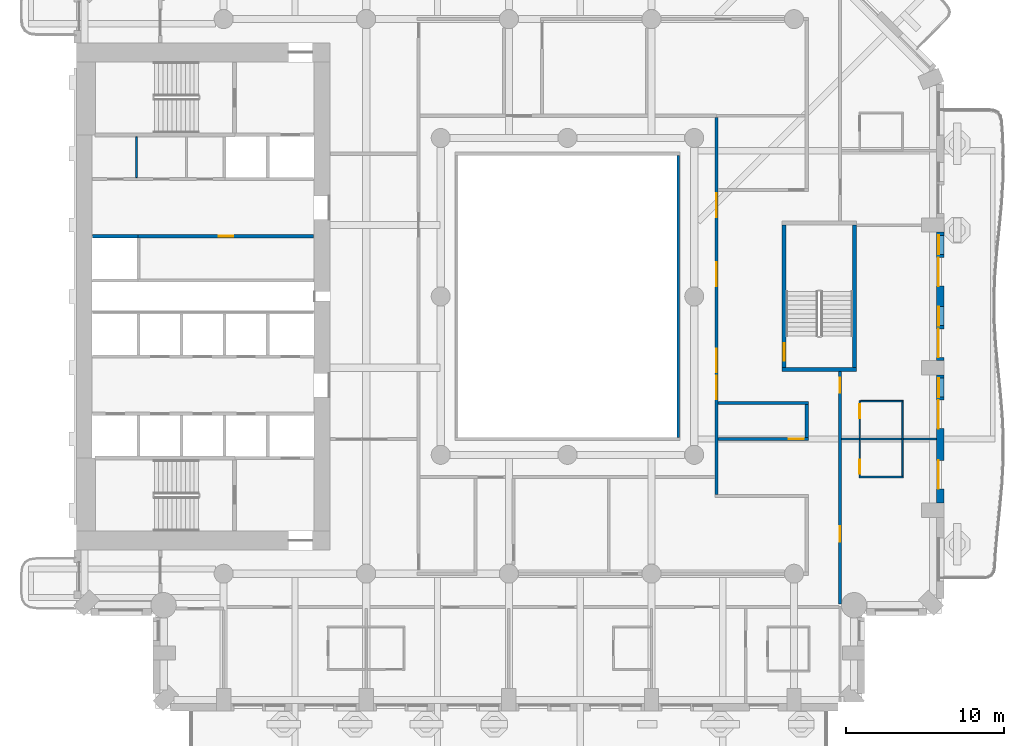
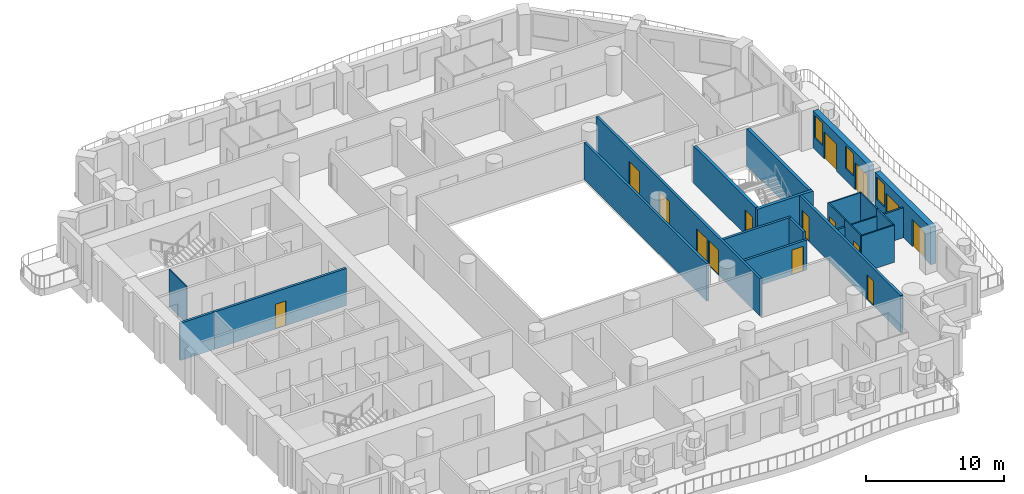
# One storey, part 6 of 19: 23 walls, 15 doors, 3 windows, 18 openings.
"""IFC4 building model written with IfcOpenShell, lengths in metres."""

from ifc_helpers import new_model, si_unit, direction, frame, frame_2d, origin, place, context, subcontext, project, spatial, rectangle, extrude, material, layer, layer_set, type_object, element, fill, save


model = new_model("IFC4")

# Units and contexts
model_context = context("Model", 3, precision=1e-05, world=origin(), true_north=direction((0.0, 1.0)))
body_context = subcontext(model_context, "Body", "Model", "MODEL_VIEW")
ifc_project = project(units=[si_unit("LENGTHUNIT", "METRE"), si_unit("AREAUNIT", "SQUARE_METRE"), si_unit("VOLUMEUNIT", "CUBIC_METRE"), si_unit("PLANEANGLEUNIT", "RADIAN"), si_unit("MASSUNIT", "GRAM", prefix="KILO")], contexts=[model_context])

# Site, building, storey
site_placement = place(None, origin())
site = spatial("IfcSite", under=ifc_project, at=site_placement, CompositionType="ELEMENT")
building_placement = place(site_placement, origin())
building = spatial("IfcBuilding", under=site, at=building_placement, Name="Cypress Arch Tower", CompositionType="ELEMENT")
storey_placement = place(building_placement, frame((0.0, 0.0, 66.300048828125)))
storey = spatial("IfcBuildingStorey", under=building, at=storey_placement, Name="L10", CompositionType="ELEMENT", Elevation=66.300048828125)

# Wall, openings, doors, window
ifc_material_1 = material(Name="Brick (red buff blend)", Category="masonry")
ifc_layer_1 = layer(ifc_material_1, 0.449951171875)
ifc_layer_set_1 = layer_set([ifc_layer_1], Name="Brick pier and spandrel wall BW450")
wall_type_1 = type_object("IfcWallType", Name="Brick pier and spandrel wall BW450", PredefinedType="SOLIDWALL", material=ifc_layer_set_1)
wall_1_placement = place(storey_placement, frame((24.52490234375, -13.050048828125, 0.0), z_axis=(0.0, 0.0, 1.0), x_axis=(0.0, 1.0, 0.0)))
wall_1 = element("IfcWall", 1, at=wall_1_placement, inside=storey, type_object=wall_type_1, Name="Brick wall L10 A06.1", PredefinedType="SOLIDWALL", context=body_context, shape_type="SweptSolid", body=[
    extrude(rectangle(XDim=8.10009765625, YDim=0.449951171875, at=frame_2d((4.050048828125, 0.0))), origin(), (0.0, 0.0, 1.0), 3.300048828125),
])
opening_1_placement = place(wall_1_placement, frame((0.89990234375, 0.0, 0.0)))
opening_1 = element("IfcOpeningElement", 2, at=opening_1_placement, cuts=wall_1, Name="Opening D-L10-A06.1.1", PredefinedType="OPENING", context=body_context, shape_type="SweptSolid", body=[
    extrude(rectangle(XDim=1.800048828125, YDim=2.39990234375, at=frame_2d((0.89990234375, 1.199951171875))), frame((0.0, 0.23486328125, 0.0), z_axis=(0.0, -1.0, 0.0), x_axis=(1.0, 0.0, 0.0)), (0.0, 0.0, 1.0), 0.469970703125),
])
opening_2_placement = place(wall_1_placement, frame((4.699951171875, 0.0, 0.0)))
opening_2 = element("IfcOpeningElement", 3, at=opening_2_placement, cuts=wall_1, Name="Opening D-L10-A06.1.2", PredefinedType="OPENING", context=body_context, shape_type="SweptSolid", body=[
    extrude(rectangle(XDim=1.800048828125, YDim=2.39990234375, at=frame_2d((0.89990234375, 1.199951171875))), frame((0.0, 0.23486328125, 0.0), z_axis=(0.0, -1.0, 0.0), x_axis=(1.0, 0.0, 0.0)), (0.0, 0.0, 1.0), 0.469970703125),
])
opening_3_placement = place(wall_1_placement, frame((6.699951171875, 0.0, 1.050048828125)))
opening_3 = element("IfcOpeningElement", 4, at=opening_3_placement, cuts=wall_1, Name="Opening W120HD", PredefinedType="OPENING", context=body_context, shape_type="SweptSolid", body=[
    extrude(rectangle(XDim=1.199951171875, YDim=2.0, at=frame_2d((0.60009765625, 1.0))), frame((0.0, 0.23486328125, 0.0), z_axis=(0.0, -1.0, 0.0), x_axis=(1.0, 0.0, 0.0)), (0.0, 0.0, 1.0), 0.469970703125),
])
ifc_material_2 = material(Name="Anodised aluminium, bronze finish, laminated low-emissivity double glazing, large-missile impact rated", Category="aluminium")
door_type_1 = type_object("IfcDoorType", Name="Balcony sliding door 1800x2400", OperationType="SLIDING_TO_LEFT", PredefinedType="DOOR", material=ifc_material_2)
door_1_placement = place(opening_1_placement, origin())
door_1 = element("IfcDoor", 5, at=door_1_placement, inside=storey, type_object=door_type_1, Name="Balcony door L10 A06.1.1", OperationType="SLIDING_TO_LEFT", OverallHeight=2.39990234375, OverallWidth=1.800048828125, PredefinedType="DOOR", context=body_context, shape_type="SweptSolid", body=[
    extrude(rectangle(XDim=1.800048828125, YDim=2.39990234375, at=frame_2d((0.89990234375, 1.199951171875))), frame((0.0, 0.1298828125, 0.0), z_axis=(0.0, -1.0, 0.0), x_axis=(1.0, 0.0, 0.0)), (0.0, 0.0, 1.0), 0.050048828125),
])
fill(opening_1, door_1)
door_2_placement = place(opening_2_placement, origin())
door_2 = element("IfcDoor", 6, at=door_2_placement, inside=storey, type_object=door_type_1, Name="Balcony door L10 A06.1.2", OperationType="SLIDING_TO_LEFT", OverallHeight=2.39990234375, OverallWidth=1.800048828125, PredefinedType="DOOR", context=body_context, shape_type="SweptSolid", body=[
    extrude(rectangle(XDim=1.800048828125, YDim=2.39990234375, at=frame_2d((0.89990234375, 1.199951171875))), frame((0.0, 0.1298828125, 0.0), z_axis=(0.0, -1.0, 0.0), x_axis=(1.0, 0.0, 0.0)), (0.0, 0.0, 1.0), 0.050048828125),
])
fill(opening_2, door_2)
ifc_material_3 = material(Name="Anodised aluminium, bronze finish, laminated low-emissivity double glazing, large-missile impact rated", Category="aluminium")
window_type = type_object("IfcWindowType", Name="Window Hotel 1200x2000 debris-rated", PartitioningType="SINGLE_PANEL", PredefinedType="WINDOW", material=ifc_material_3)
window_1_placement = place(opening_3_placement, origin())
window_1 = element("IfcWindow", 7, at=window_1_placement, inside=storey, type_object=window_type, Name="Window L10 A06.1.2", OverallHeight=2.0, OverallWidth=1.199951171875, PartitioningType="SINGLE_PANEL", PredefinedType="WINDOW", context=body_context, shape_type="SweptSolid", body=[
    extrude(rectangle(XDim=1.199951171875, YDim=2.0, at=frame_2d((0.60009765625, 1.0))), frame((0.0, 0.135009765625, 0.0), z_axis=(0.0, -1.0, 0.0), x_axis=(1.0, 0.0, 0.0)), (0.0, 0.0, 1.0), 0.06005859375),
])
fill(opening_3, window_1)

# Wall, openings, doors, windows
wall_2_placement = place(storey_placement, frame((24.52490234375, -4.050048828125, 0.0), z_axis=(0.0, 0.0, 1.0), x_axis=(0.0, 1.0, 0.0)))
wall_2 = element("IfcWall", 8, at=wall_2_placement, inside=storey, type_object=wall_type_1, Name="Brick wall L10 A06.2", PredefinedType="SOLIDWALL", context=body_context, shape_type="SweptSolid", body=[
    extrude(rectangle(XDim=8.10009765625, YDim=0.449951171875, at=frame_2d((4.050048828125, 0.0))), origin(), (0.0, 0.0, 1.0), 3.300048828125),
])
opening_4_placement = place(wall_2_placement, frame((0.199951171875, 0.0, 0.0)))
opening_4 = element("IfcOpeningElement", 9, at=opening_4_placement, cuts=wall_2, Name="Opening D-L10-A06.2.1", PredefinedType="OPENING", context=body_context, shape_type="SweptSolid", body=[
    extrude(rectangle(XDim=1.800048828125, YDim=2.39990234375, at=frame_2d((0.89990234375, 1.199951171875))), frame((0.0, 0.23486328125, 0.0), z_axis=(0.0, -1.0, 0.0), x_axis=(1.0, 0.0, 0.0)), (0.0, 0.0, 1.0), 0.469970703125),
])
opening_5_placement = place(wall_2_placement, frame((2.199951171875, 0.0, 1.050048828125)))
opening_5 = element("IfcOpeningElement", 10, at=opening_5_placement, cuts=wall_2, Name="Opening W120HD", PredefinedType="OPENING", context=body_context, shape_type="SweptSolid", body=[
    extrude(rectangle(XDim=1.199951171875, YDim=2.0, at=frame_2d((0.60009765625, 1.0))), frame((0.0, 0.23486328125, 0.0), z_axis=(0.0, -1.0, 0.0), x_axis=(1.0, 0.0, 0.0)), (0.0, 0.0, 1.0), 0.469970703125),
])
opening_6_placement = place(wall_2_placement, frame((4.699951171875, 0.0, 0.0)))
opening_6 = element("IfcOpeningElement", 11, at=opening_6_placement, cuts=wall_2, Name="Opening D-L10-A06.2.2", PredefinedType="OPENING", context=body_context, shape_type="SweptSolid", body=[
    extrude(rectangle(XDim=1.800048828125, YDim=2.39990234375, at=frame_2d((0.89990234375, 1.199951171875))), frame((0.0, 0.23486328125, 0.0), z_axis=(0.0, -1.0, 0.0), x_axis=(1.0, 0.0, 0.0)), (0.0, 0.0, 1.0), 0.469970703125),
])
opening_7_placement = place(wall_2_placement, frame((6.699951171875, 0.0, 1.050048828125)))
opening_7 = element("IfcOpeningElement", 12, at=opening_7_placement, cuts=wall_2, Name="Opening W120HD", PredefinedType="OPENING", context=body_context, shape_type="SweptSolid", body=[
    extrude(rectangle(XDim=1.199951171875, YDim=2.0, at=frame_2d((0.60009765625, 1.0))), frame((0.0, 0.23486328125, 0.0), z_axis=(0.0, -1.0, 0.0), x_axis=(1.0, 0.0, 0.0)), (0.0, 0.0, 1.0), 0.469970703125),
])
door_3_placement = place(opening_4_placement, origin())
door_3 = element("IfcDoor", 13, at=door_3_placement, inside=storey, type_object=door_type_1, Name="Balcony door L10 A06.2.1", OperationType="SLIDING_TO_LEFT", OverallHeight=2.39990234375, OverallWidth=1.800048828125, PredefinedType="DOOR", context=body_context, shape_type="SweptSolid", body=[
    extrude(rectangle(XDim=1.800048828125, YDim=2.39990234375, at=frame_2d((0.89990234375, 1.199951171875))), frame((0.0, 0.1298828125, 0.0), z_axis=(0.0, -1.0, 0.0), x_axis=(1.0, 0.0, 0.0)), (0.0, 0.0, 1.0), 0.050048828125),
])
fill(opening_4, door_3)
door_4_placement = place(opening_6_placement, origin())
door_4 = element("IfcDoor", 14, at=door_4_placement, inside=storey, type_object=door_type_1, Name="Balcony door L10 A06.2.2", OperationType="SLIDING_TO_LEFT", OverallHeight=2.39990234375, OverallWidth=1.800048828125, PredefinedType="DOOR", context=body_context, shape_type="SweptSolid", body=[
    extrude(rectangle(XDim=1.800048828125, YDim=2.39990234375, at=frame_2d((0.89990234375, 1.199951171875))), frame((0.0, 0.1298828125, 0.0), z_axis=(0.0, -1.0, 0.0), x_axis=(1.0, 0.0, 0.0)), (0.0, 0.0, 1.0), 0.050048828125),
])
fill(opening_6, door_4)
window_2_placement = place(opening_5_placement, origin())
window_2 = element("IfcWindow", 15, at=window_2_placement, inside=storey, type_object=window_type, Name="Window L10 A06.2.1", OverallHeight=2.0, OverallWidth=1.199951171875, PartitioningType="SINGLE_PANEL", PredefinedType="WINDOW", context=body_context, shape_type="SweptSolid", body=[
    extrude(rectangle(XDim=1.199951171875, YDim=2.0, at=frame_2d((0.60009765625, 1.0))), frame((0.0, 0.135009765625, 0.0), z_axis=(0.0, -1.0, 0.0), x_axis=(1.0, 0.0, 0.0)), (0.0, 0.0, 1.0), 0.06005859375),
])
fill(opening_5, window_2)
window_3_placement = place(opening_7_placement, origin())
window_3 = element("IfcWindow", 16, at=window_3_placement, inside=storey, type_object=window_type, Name="Window L10 A06.2.2", OverallHeight=2.0, OverallWidth=1.199951171875, PartitioningType="SINGLE_PANEL", PredefinedType="WINDOW", context=body_context, shape_type="SweptSolid", body=[
    extrude(rectangle(XDim=1.199951171875, YDim=2.0, at=frame_2d((0.60009765625, 1.0))), frame((0.0, 0.135009765625, 0.0), z_axis=(0.0, -1.0, 0.0), x_axis=(1.0, 0.0, 0.0)), (0.0, 0.0, 1.0), 0.06005859375),
])
fill(opening_7, window_3)

# Wall
ifc_material_4 = material(Name="Concrete blockwork, plastered, rated", Category="masonry")
ifc_layer_2 = layer(ifc_material_4, 0.199951171875)
ifc_layer_set_2 = layer_set([ifc_layer_2], Name="Corridor wall FW200")
wall_type_2 = type_object("IfcWallType", Name="Corridor wall FW200", PredefinedType="PARTITIONING", material=ifc_layer_set_2)
wall_3_placement = place(storey_placement, frame((8.0, -8.89990234375, 0.0), z_axis=(0.0, 0.0, 1.0), x_axis=(0.0, 1.0, 0.0)))
element("IfcWall", 17, at=wall_3_placement, inside=storey, type_object=wall_type_2, Name="Corridor wall", PredefinedType="PARTITIONING", context=body_context, shape_type="SweptSolid", body=[
    extrude(rectangle(XDim=17.7998046875, YDim=0.199951171875, at=frame_2d((8.89990234375, 0.0))), origin(), (0.0, 0.0, 1.0), 3.300048828125),
])

# Wall, openings, doors
wall_4_placement = place(storey_placement, frame((10.39892578125, -12.5, 0.0), z_axis=(0.0, 0.0, 1.0), x_axis=(0.0, 1.0, 0.0)))
wall_4 = element("IfcWall", 18, at=wall_4_placement, inside=storey, type_object=wall_type_2, Name="Corridor wall", PredefinedType="PARTITIONING", context=body_context, shape_type="SweptSolid", body=[
    extrude(rectangle(XDim=23.800048828125, YDim=0.199951171875, at=frame_2d((11.89990234375, 0.0))), origin(), (0.0, 0.0, 1.0), 3.300048828125),
])
opening_8_placement = place(wall_4_placement, frame((6.0, 0.0, 0.0)))
opening_8 = element("IfcOpeningElement", 19, at=opening_8_placement, cuts=wall_4, Name="Opening D04", PredefinedType="OPENING", context=body_context, shape_type="SweptSolid", body=[
    extrude(rectangle(XDim=1.5, YDim=2.199951171875, at=frame_2d((0.75, 1.10009765625))), frame((0.0, 0.10986328125, 0.0), z_axis=(0.0, -1.0, 0.0), x_axis=(1.0, 0.0, 0.0)), (0.0, 0.0, 1.0), 0.219970703125),
])
opening_9_placement = place(wall_4_placement, frame((17.5, 0.0, 0.0)))
opening_9 = element("IfcOpeningElement", 20, at=opening_9_placement, cuts=wall_4, Name="Opening D04", PredefinedType="OPENING", context=body_context, shape_type="SweptSolid", body=[
    extrude(rectangle(XDim=1.5, YDim=2.199951171875, at=frame_2d((0.75, 1.10009765625))), frame((0.0, 0.10986328125, 0.0), z_axis=(0.0, -1.0, 0.0), x_axis=(1.0, 0.0, 0.0)), (0.0, 0.0, 1.0), 0.219970703125),
])
opening_10_placement = place(wall_4_placement, frame((7.699951171875, 0.0, 0.0)))
opening_10 = element("IfcOpeningElement", 21, at=opening_10_placement, cuts=wall_4, Name="Opening D04", PredefinedType="OPENING", context=body_context, shape_type="SweptSolid", body=[
    extrude(rectangle(XDim=1.5, YDim=2.199951171875, at=frame_2d((0.75, 1.10009765625))), frame((0.0, 0.10986328125, 0.0), z_axis=(0.0, -1.0, 0.0), x_axis=(1.0, 0.0, 0.0)), (0.0, 0.0, 1.0), 0.219970703125),
])
opening_11_placement = place(wall_4_placement, frame((13.14990234375, 0.0, 0.0)))
opening_11 = element("IfcOpeningElement", 22, at=opening_11_placement, cuts=wall_4, Name="Opening D04", PredefinedType="OPENING", context=body_context, shape_type="SweptSolid", body=[
    extrude(rectangle(XDim=1.5, YDim=2.199951171875, at=frame_2d((0.75, 1.10009765625))), frame((0.0, 0.10986328125, 0.0), z_axis=(0.0, -1.0, 0.0), x_axis=(1.0, 0.0, 0.0)), (0.0, 0.0, 1.0), 0.219970703125),
])
ifc_material_5 = material(Name="Timber double door", Category="wood")
door_type_2 = type_object("IfcDoorType", Name="Double door D04 1500x2200", OperationType="DOUBLE_DOOR_SINGLE_SWING", PredefinedType="DOOR", material=ifc_material_5)
door_5_placement = place(opening_8_placement, origin())
door_5 = element("IfcDoor", 23, at=door_5_placement, inside=storey, type_object=door_type_2, Name="Double door", OperationType="DOUBLE_DOOR_SINGLE_SWING", OverallHeight=2.199951171875, OverallWidth=1.5, PredefinedType="DOOR", context=body_context, shape_type="SweptSolid", body=[
    extrude(rectangle(XDim=1.5, YDim=2.199951171875, at=frame_2d((0.75, 1.10009765625))), frame((0.0, 0.02490234375, 0.0), z_axis=(0.0, -1.0, 0.0), x_axis=(1.0, 0.0, 0.0)), (0.0, 0.0, 1.0), 0.050048828125),
])
fill(opening_8, door_5)
door_6_placement = place(opening_9_placement, origin())
door_6 = element("IfcDoor", 24, at=door_6_placement, inside=storey, type_object=door_type_2, Name="Double door", OperationType="DOUBLE_DOOR_SINGLE_SWING", OverallHeight=2.199951171875, OverallWidth=1.5, PredefinedType="DOOR", context=body_context, shape_type="SweptSolid", body=[
    extrude(rectangle(XDim=1.5, YDim=2.199951171875, at=frame_2d((0.75, 1.10009765625))), frame((0.0, 0.02490234375, 0.0), z_axis=(0.0, -1.0, 0.0), x_axis=(1.0, 0.0, 0.0)), (0.0, 0.0, 1.0), 0.050048828125),
])
fill(opening_9, door_6)
door_7_placement = place(opening_10_placement, origin())
door_7 = element("IfcDoor", 25, at=door_7_placement, inside=storey, type_object=door_type_2, Name="Double door", OperationType="DOUBLE_DOOR_SINGLE_SWING", OverallHeight=2.199951171875, OverallWidth=1.5, PredefinedType="DOOR", context=body_context, shape_type="SweptSolid", body=[
    extrude(rectangle(XDim=1.5, YDim=2.199951171875, at=frame_2d((0.75, 1.10009765625))), frame((0.0, 0.02490234375, 0.0), z_axis=(0.0, -1.0, 0.0), x_axis=(1.0, 0.0, 0.0)), (0.0, 0.0, 1.0), 0.050048828125),
])
fill(opening_10, door_7)
door_8_placement = place(opening_11_placement, origin())
door_8 = element("IfcDoor", 26, at=door_8_placement, inside=storey, type_object=door_type_2, Name="Double door", OperationType="DOUBLE_DOOR_SINGLE_SWING", OverallHeight=2.199951171875, OverallWidth=1.5, PredefinedType="DOOR", context=body_context, shape_type="SweptSolid", body=[
    extrude(rectangle(XDim=1.5, YDim=2.199951171875, at=frame_2d((0.75, 1.10009765625))), frame((0.0, 0.02490234375, 0.0), z_axis=(0.0, -1.0, 0.0), x_axis=(1.0, 0.0, 0.0)), (0.0, 0.0, 1.0), 0.050048828125),
])
fill(opening_11, door_8)

# Wall, opening, door
wall_5_placement = place(storey_placement, frame((10.5, -9.0, 0.0), z_axis=(0.0, 0.0, 1.0), x_axis=(1.0, 0.0, 0.0)))
wall_5 = element("IfcWall", 27, at=wall_5_placement, inside=storey, type_object=wall_type_2, Name="Corridor wall", PredefinedType="PARTITIONING", context=body_context, shape_type="SweptSolid", body=[
    extrude(rectangle(XDim=5.699951171875, YDim=0.199951171875, at=frame_2d((2.85009765625, 0.0))), origin(), (0.0, 0.0, 1.0), 2.64990234375),
])
opening_12_placement = place(wall_5_placement, frame((4.449951171875, 0.0, 0.0)))
opening_12 = element("IfcOpeningElement", 28, at=opening_12_placement, cuts=wall_5, Name="Opening D02", PredefinedType="OPENING", context=body_context, shape_type="SweptSolid", body=[
    extrude(rectangle(XDim=0.949951171875, YDim=2.199951171875, at=frame_2d((0.47509765625, 1.10009765625))), frame((0.0, 0.10986328125, 0.0), z_axis=(0.0, -1.0, 0.0), x_axis=(1.0, 0.0, 0.0)), (0.0, 0.0, 1.0), 0.219970703125),
])
ifc_material_6 = material(Name="Timber flush door, fire resisting", Category="wood")
door_type_3 = type_object("IfcDoorType", Name="Room door D02 950x2200", OperationType="SINGLE_SWING_LEFT", PredefinedType="DOOR", material=ifc_material_6)
door_9_placement = place(opening_12_placement, origin())
door_9 = element("IfcDoor", 29, at=door_9_placement, inside=storey, type_object=door_type_3, Name="Room door", OperationType="SINGLE_SWING_RIGHT", OverallHeight=2.199951171875, OverallWidth=0.949951171875, PredefinedType="DOOR", context=body_context, shape_type="SweptSolid", body=[
    extrude(rectangle(XDim=0.949951171875, YDim=2.199951171875, at=frame_2d((0.47509765625, 1.10009765625))), frame((0.0, 0.02490234375, 0.0), z_axis=(0.0, -1.0, 0.0), x_axis=(1.0, 0.0, 0.0)), (0.0, 0.0, 1.0), 0.050048828125),
])
fill(opening_12, door_9)

# Walls
wall_6_placement = place(storey_placement, frame((10.5, -6.72509765625, 0.0), z_axis=(0.0, 0.0, 1.0), x_axis=(1.0, 0.0, 0.0)))
element("IfcWall", 30, at=wall_6_placement, inside=storey, type_object=wall_type_2, Name="Corridor wall", PredefinedType="PARTITIONING", context=body_context, shape_type="SweptSolid", body=[
    extrude(rectangle(XDim=5.699951171875, YDim=0.199951171875, at=frame_2d((2.85009765625, 0.0))), origin(), (0.0, 0.0, 1.0), 3.300048828125),
])
wall_7_placement = place(storey_placement, frame((16.10009765625, -8.89990234375, 0.0), z_axis=(0.0, 0.0, 1.0), x_axis=(0.0, 1.0, 0.0)))
element("IfcWall", 31, at=wall_7_placement, inside=storey, type_object=wall_type_2, Name="Corridor wall", PredefinedType="PARTITIONING", context=body_context, shape_type="SweptSolid", body=[
    extrude(rectangle(XDim=2.074951171875, YDim=0.199951171875, at=frame_2d((1.03759765625, 0.0))), origin(), (0.0, 0.0, 1.0), 3.300048828125),
])

# Wall, openings, doors
wall_8_placement = place(storey_placement, frame((18.199951171875, -19.419921875, 0.0), z_axis=(0.0, 0.0, 1.0), x_axis=(0.0, 1.0, 0.0)))
wall_8 = element("IfcWall", 32, at=wall_8_placement, inside=storey, type_object=wall_type_2, Name="Corridor wall", PredefinedType="PARTITIONING", context=body_context, shape_type="SweptSolid", body=[
    extrude(rectangle(XDim=14.669921875, YDim=0.199951171875, at=frame_2d((7.3349609375, 0.0))), origin(), (0.0, 0.0, 1.0), 3.300048828125),
])
opening_13_placement = place(wall_8_placement, frame((3.949951171875, 0.0, 0.0)))
opening_13 = element("IfcOpeningElement", 33, at=opening_13_placement, cuts=wall_8, Name="Opening D02", PredefinedType="OPENING", context=body_context, shape_type="SweptSolid", body=[
    extrude(rectangle(XDim=0.949951171875, YDim=2.199951171875, at=frame_2d((0.47509765625, 1.10009765625))), frame((0.0, 0.10986328125, 0.0), z_axis=(0.0, -1.0, 0.0), x_axis=(1.0, 0.0, 0.0)), (0.0, 0.0, 1.0), 0.219970703125),
])
opening_14_placement = place(wall_8_placement, frame((13.35009765625, 0.0, 0.0)))
opening_14 = element("IfcOpeningElement", 34, at=opening_14_placement, cuts=wall_8, Name="Opening D02", PredefinedType="OPENING", context=body_context, shape_type="SweptSolid", body=[
    extrude(rectangle(XDim=0.949951171875, YDim=2.199951171875, at=frame_2d((0.47509765625, 1.10009765625))), frame((0.0, 0.10986328125, 0.0), z_axis=(0.0, -1.0, 0.0), x_axis=(1.0, 0.0, 0.0)), (0.0, 0.0, 1.0), 0.219970703125),
])
door_10_placement = place(opening_13_placement, origin())
door_10 = element("IfcDoor", 35, at=door_10_placement, inside=storey, type_object=door_type_3, Name="Room door", OperationType="SINGLE_SWING_RIGHT", OverallHeight=2.199951171875, OverallWidth=0.949951171875, PredefinedType="DOOR", context=body_context, shape_type="SweptSolid", body=[
    extrude(rectangle(XDim=0.949951171875, YDim=2.199951171875, at=frame_2d((0.47509765625, 1.10009765625))), frame((0.0, 0.02490234375, 0.0), z_axis=(0.0, -1.0, 0.0), x_axis=(1.0, 0.0, 0.0)), (0.0, 0.0, 1.0), 0.050048828125),
])
fill(opening_13, door_10)
door_11_placement = place(opening_14_placement, origin())
door_11 = element("IfcDoor", 36, at=door_11_placement, inside=storey, type_object=door_type_3, Name="Room door", OperationType="SINGLE_SWING_LEFT", OverallHeight=2.199951171875, OverallWidth=0.949951171875, PredefinedType="DOOR", context=body_context, shape_type="SweptSolid", body=[
    extrude(rectangle(XDim=0.949951171875, YDim=2.199951171875, at=frame_2d((0.47509765625, 1.10009765625))), frame((0.0, 0.02490234375, 0.0), z_axis=(0.0, -1.0, 0.0), x_axis=(1.0, 0.0, 0.0)), (0.0, 0.0, 1.0), 0.050048828125),
])
fill(opening_14, door_11)

# Walls
ifc_material_7 = material(Name="Blockwork, plastered both sides", Category="masonry")
ifc_layer_3 = layer(ifc_material_7, 0.14990234375)
ifc_layer_set_3 = layer_set([ifc_layer_3], Name="Partition PW150")
wall_type_3 = type_object("IfcWallType", Name="Partition PW150", PredefinedType="PARTITIONING", material=ifc_layer_set_3)
wall_9_placement = place(storey_placement, frame((18.300048828125, -9.0, 0.0), z_axis=(0.0, 0.0, 1.0), x_axis=(1.0, 0.0, 0.0)))
element("IfcWall", 37, at=wall_9_placement, inside=storey, type_object=wall_type_3, Name="Partition", PredefinedType="PARTITIONING", context=body_context, shape_type="SweptSolid", body=[
    extrude(rectangle(XDim=1.1298828125, YDim=0.14990234375, at=frame_2d((0.56494140625, 0.0))), origin(), (0.0, 0.0, 1.0), 2.64990234375),
])
wall_10_placement = place(storey_placement, frame((22.169921875, -9.0, 0.0), z_axis=(0.0, 0.0, 1.0), x_axis=(1.0, 0.0, 0.0)))
element("IfcWall", 38, at=wall_10_placement, inside=storey, type_object=wall_type_3, Name="Partition", PredefinedType="PARTITIONING", context=body_context, shape_type="SweptSolid", body=[
    extrude(rectangle(XDim=2.130126953125, YDim=0.14990234375, at=frame_2d((1.06494140625, 0.0))), origin(), (0.0, 0.0, 1.0), 2.64990234375),
])

# Wall, opening, door
ifc_material_8 = material(Name="Reinforced blockwork, plastered, rated", Category="masonry")
ifc_layer_4 = layer(ifc_material_8, 0.199951171875)
ifc_layer_set_4 = layer_set([ifc_layer_4], Name="Plant and riser wall PL200")
wall_type_4 = type_object("IfcWallType", Name="Plant and riser wall PL200", PredefinedType="PARTITIONING", material=ifc_layer_set_4)
wall_11_placement = place(storey_placement, frame((-26.10009765625, 3.800048828125, 0.0), z_axis=(0.0, 0.0, 1.0), x_axis=(1.0, 0.0, 0.0)))
wall_11 = element("IfcWall", 39, at=wall_11_placement, inside=storey, type_object=wall_type_4, Name="Plant and riser wall", PredefinedType="PARTITIONING", context=body_context, shape_type="SweptSolid", body=[
    extrude(rectangle(XDim=11.070068359375, YDim=0.199951171875, at=frame_2d((5.53515625, 0.0))), origin(), (0.0, 0.0, 1.0), 3.300048828125),
])
opening_15_placement = place(wall_11_placement, frame((5.10009765625, 0.0, 0.0)))
opening_15 = element("IfcOpeningElement", 40, at=opening_15_placement, cuts=wall_11, Name="Opening D05", PredefinedType="OPENING", context=body_context, shape_type="SweptSolid", body=[
    extrude(rectangle(XDim=0.89990234375, YDim=2.199951171875, at=frame_2d((0.449951171875, 1.10009765625))), frame((0.0, 0.10986328125, 0.0), z_axis=(0.0, -1.0, 0.0), x_axis=(1.0, 0.0, 0.0)), (0.0, 0.0, 1.0), 0.219970703125),
])
ifc_material_9 = material(Name="Timber flush door", Category="wood")
door_type_4 = type_object("IfcDoorType", Name="Service door D05 900x2200", OperationType="SINGLE_SWING_LEFT", PredefinedType="DOOR", material=ifc_material_9)
door_12_placement = place(opening_15_placement, origin())
door_12 = element("IfcDoor", 41, at=door_12_placement, inside=storey, type_object=door_type_4, Name="Service door", OperationType="SINGLE_SWING_LEFT", OverallHeight=2.199951171875, OverallWidth=0.89990234375, PredefinedType="DOOR", context=body_context, shape_type="SweptSolid", body=[
    extrude(rectangle(XDim=0.89990234375, YDim=2.199951171875, at=frame_2d((0.449951171875, 1.10009765625))), frame((0.0, 0.02490234375, 0.0), z_axis=(0.0, -1.0, 0.0), x_axis=(1.0, 0.0, 0.0)), (0.0, 0.0, 1.0), 0.050048828125),
])
fill(opening_15, door_12)

# Wall
ifc_material_10 = material(Name="Concrete C50/60", Category="concrete")
ifc_layer_5 = layer(ifc_material_10, 0.199951171875)
ifc_layer_set_5 = layer_set([ifc_layer_5], Name="Shaft wall SH200")
wall_type_5 = type_object("IfcWallType", Name="Shaft wall SH200", PredefinedType="SHEAR", material=ifc_layer_set_5)
wall_12_placement = place(storey_placement, frame((-28.969970703125, 3.800048828125, 0.0), z_axis=(0.0, 0.0, 1.0), x_axis=(1.0, 0.0, 0.0)))
element("IfcWall", 42, at=wall_12_placement, inside=storey, type_object=wall_type_5, Name="Shaft wall", PredefinedType="SHEAR", context=body_context, shape_type="SweptSolid", body=[
    extrude(rectangle(XDim=2.869873046875, YDim=0.199951171875, at=frame_2d((1.43505859375, 0.0))), origin(), (0.0, 0.0, 1.0), 3.300048828125),
])

# Wall, opening, door
ifc_material_11 = material(Name="Concrete C50/60", Category="concrete")
ifc_layer_6 = layer(ifc_material_11, 0.25)
ifc_layer_set_6 = layer_set([ifc_layer_6], Name="Stair enclosure wall SW250")
wall_type_6 = type_object("IfcWallType", Name="Stair enclosure wall SW250", PredefinedType="SHEAR", material=ifc_layer_set_6)
wall_13_placement = place(storey_placement, frame((14.675048828125, -4.5, 0.0), z_axis=(0.0, 0.0, 1.0), x_axis=(0.0, 1.0, 0.0)))
wall_13 = element("IfcWall", 43, at=wall_13_placement, inside=storey, type_object=wall_type_6, Name="Stair enclosure wall", PredefinedType="SHEAR", context=body_context, shape_type="SweptSolid", body=[
    extrude(rectangle(XDim=9.0, YDim=0.25, at=frame_2d((4.5, 0.0))), origin(), (0.0, 0.0, 1.0), 3.300048828125),
])
opening_16_placement = place(wall_13_placement, frame((0.449951171875, 0.0, 0.0)))
opening_16 = element("IfcOpeningElement", 44, at=opening_16_placement, cuts=wall_13, Name="Opening D06", PredefinedType="OPENING", context=body_context, shape_type="SweptSolid", body=[
    extrude(rectangle(XDim=1.10009765625, YDim=2.199951171875, at=frame_2d((0.550048828125, 1.10009765625))), frame((0.0, 0.135009765625, 0.0), z_axis=(0.0, -1.0, 0.0), x_axis=(1.0, 0.0, 0.0)), (0.0, 0.0, 1.0), 0.27001953125),
])
ifc_material_12 = material(Name="Steel door, fire resisting, panic bar", Category="steel")
door_type_5 = type_object("IfcDoorType", Name="Stair door D06 1100x2200", OperationType="SINGLE_SWING_LEFT", PredefinedType="DOOR", material=ifc_material_12)
door_13_placement = place(opening_16_placement, origin())
door_13 = element("IfcDoor", 45, at=door_13_placement, inside=storey, type_object=door_type_5, Name="Stair door", OperationType="SINGLE_SWING_RIGHT", OverallHeight=2.199951171875, OverallWidth=1.10009765625, PredefinedType="DOOR", context=body_context, shape_type="SweptSolid", body=[
    extrude(rectangle(XDim=1.10009765625, YDim=2.199951171875, at=frame_2d((0.550048828125, 1.10009765625))), frame((0.0, 0.02490234375, 0.0), z_axis=(0.0, -1.0, 0.0), x_axis=(1.0, 0.0, 0.0)), (0.0, 0.0, 1.0), 0.050048828125),
])
fill(opening_16, door_13)

# Walls
wall_14_placement = place(storey_placement, frame((14.550048828125, -4.625, 0.0), z_axis=(0.0, 0.0, 1.0), x_axis=(1.0, 0.0, 0.0)))
element("IfcWall", 46, at=wall_14_placement, inside=storey, type_object=wall_type_6, Name="Stair enclosure wall", PredefinedType="SHEAR", context=body_context, shape_type="SweptSolid", body=[
    extrude(rectangle(XDim=4.699951171875, YDim=0.25, at=frame_2d((2.35009765625, 0.0))), origin(), (0.0, 0.0, 1.0), 3.300048828125),
])
wall_15_placement = place(storey_placement, frame((19.125, -4.5, 0.0), z_axis=(0.0, 0.0, 1.0), x_axis=(0.0, 1.0, 0.0)))
element("IfcWall", 47, at=wall_15_placement, inside=storey, type_object=wall_type_6, Name="Stair enclosure wall", PredefinedType="SHEAR", context=body_context, shape_type="SweptSolid", body=[
    extrude(rectangle(XDim=9.0, YDim=0.25, at=frame_2d((4.5, 0.0))), origin(), (0.0, 0.0, 1.0), 3.300048828125),
])
ifc_material_13 = material(Name="Moisture resistant board on steel studs, tiled", Category="steel")
ifc_layer_7 = layer(ifc_material_13, 0.10009765625)
ifc_layer_set_7 = layer_set([ifc_layer_7], Name="Wet wall PW100")
wall_type_7 = type_object("IfcWallType", Name="Wet wall PW100", PredefinedType="PARTITIONING", material=ifc_layer_set_7)
wall_16_placement = place(storey_placement, frame((-26.199951171875, 7.5, 0.0), z_axis=(0.0, 0.0, 1.0), x_axis=(0.0, 1.0, 0.0)))
element("IfcWall", 48, at=wall_16_placement, inside=storey, type_object=wall_type_7, Name="Wet wall", PredefinedType="PARTITIONING", context=body_context, shape_type="SweptSolid", body=[
    extrude(rectangle(XDim=2.574951171875, YDim=0.10009765625, at=frame_2d((1.28759765625, 0.0))), origin(), (0.0, 0.0, 1.0), 3.300048828125),
])
wall_17_placement = place(storey_placement, frame((19.429931640625, -9.0, 0.0), z_axis=(0.0, 0.0, 1.0), x_axis=(1.0, 0.0, 0.0)))
element("IfcWall", 49, at=wall_17_placement, inside=storey, type_object=wall_type_7, Name="Wet wall", PredefinedType="PARTITIONING", context=body_context, shape_type="SweptSolid", body=[
    extrude(rectangle(XDim=2.739990234375, YDim=0.10009765625, at=frame_2d((1.3701171875, 0.0))), origin(), (0.0, 0.0, 1.0), 2.64990234375),
])

# Wall, opening, door
wall_18_placement = place(storey_placement, frame((19.449951171875, -11.345947265625, 0.0), z_axis=(0.0, 0.0, 1.0), x_axis=(0.0, 1.0, 0.0)))
wall_18 = element("IfcWall", 50, at=wall_18_placement, inside=storey, type_object=wall_type_7, Name="Wet wall", PredefinedType="PARTITIONING", context=body_context, shape_type="SweptSolid", body=[
    extrude(rectangle(XDim=2.345947265625, YDim=0.10009765625, at=frame_2d((1.1728515625, 0.0))), origin(), (0.0, 0.0, 1.0), 3.300048828125),
])
opening_17_placement = place(wall_18_placement, frame((0.14990234375, 0.0, 0.0)))
opening_17 = element("IfcOpeningElement", 51, at=opening_17_placement, cuts=wall_18, Name="Opening D03", PredefinedType="OPENING", context=body_context, shape_type="SweptSolid", body=[
    extrude(rectangle(XDim=0.89990234375, YDim=2.199951171875, at=frame_2d((0.449951171875, 1.10009765625))), frame((0.0, 0.06005859375, 0.0), z_axis=(0.0, -1.0, 0.0), x_axis=(1.0, 0.0, 0.0)), (0.0, 0.0, 1.0), 0.1201171875),
])
ifc_material_14 = material(Name="Timber flush door, moisture resistant", Category="wood")
door_type_6 = type_object("IfcDoorType", Name="Bathroom door D03 900x2200", OperationType="SINGLE_SWING_LEFT", PredefinedType="DOOR", material=ifc_material_14)
door_14_placement = place(opening_17_placement, origin())
door_14 = element("IfcDoor", 52, at=door_14_placement, inside=storey, type_object=door_type_6, Name="Bathroom door", OperationType="SINGLE_SWING_RIGHT", OverallHeight=2.199951171875, OverallWidth=0.89990234375, PredefinedType="DOOR", context=body_context, shape_type="SweptSolid", body=[
    extrude(rectangle(XDim=0.89990234375, YDim=2.199951171875, at=frame_2d((0.449951171875, 1.10009765625))), frame((0.0, 0.02490234375, 0.0), z_axis=(0.0, -1.0, 0.0), x_axis=(1.0, 0.0, 0.0)), (0.0, 0.0, 1.0), 0.050048828125),
])
fill(opening_17, door_14)

# Wall
wall_19_placement = place(storey_placement, frame((19.39990234375, -11.39599609375, 0.0), z_axis=(0.0, 0.0, 1.0), x_axis=(1.0, 0.0, 0.0)))
element("IfcWall", 53, at=wall_19_placement, inside=storey, type_object=wall_type_7, Name="Wet wall", PredefinedType="PARTITIONING", context=body_context, shape_type="SweptSolid", body=[
    extrude(rectangle(XDim=2.800048828125, YDim=0.10009765625, at=frame_2d((1.39990234375, 0.0))), origin(), (0.0, 0.0, 1.0), 3.300048828125),
])

# Wall, opening, door
wall_20_placement = place(storey_placement, frame((19.449951171875, -9.0, 0.0), z_axis=(0.0, 0.0, 1.0), x_axis=(0.000399241409, 0.999999920303, 0.0)))
wall_20 = element("IfcWall", 54, at=wall_20_placement, inside=storey, type_object=wall_type_7, Name="Wet wall", PredefinedType="PARTITIONING", context=body_context, shape_type="SweptSolid", body=[
    extrude(rectangle(XDim=2.446044921875, YDim=0.10009765625, at=frame_2d((1.22314453125, 0.0))), origin(), (0.0, 0.0, 1.0), 3.300048828125),
])
opening_18_placement = place(wall_20_placement, frame((1.300048828125, 0.0, 0.0)))
opening_18 = element("IfcOpeningElement", 55, at=opening_18_placement, cuts=wall_20, Name="Opening D03", PredefinedType="OPENING", context=body_context, shape_type="SweptSolid", body=[
    extrude(rectangle(XDim=0.89990234375, YDim=2.199951171875, at=frame_2d((0.449951171875, 1.10009765625))), frame((0.0, 0.06005859375, 0.0), z_axis=(0.0, -1.0, 0.0), x_axis=(1.0, 0.0, 0.0)), (0.0, 0.0, 1.0), 0.1201171875),
])
door_15_placement = place(opening_18_placement, origin())
door_15 = element("IfcDoor", 56, at=door_15_placement, inside=storey, type_object=door_type_6, Name="Bathroom door", OperationType="SINGLE_SWING_LEFT", OverallHeight=2.199951171875, OverallWidth=0.89990234375, PredefinedType="DOOR", context=body_context, shape_type="SweptSolid", body=[
    extrude(rectangle(XDim=0.89990234375, YDim=2.199951171875, at=frame_2d((0.449951171875, 1.10009765625))), frame((0.0, 0.02490234375, 0.0), z_axis=(0.0, -1.0, 0.0), x_axis=(1.0, 0.0, 0.0)), (0.0, 0.0, 1.0), 0.050048828125),
])
fill(opening_18, door_15)

# Walls
wall_21_placement = place(storey_placement, frame((19.5009765625, -6.60400390625, 0.0), z_axis=(0.0, 0.0, 1.0), x_axis=(0.999999934588, -0.000361696332, 0.0)))
element("IfcWall", 57, at=wall_21_placement, inside=storey, type_object=wall_type_7, Name="Wet wall", PredefinedType="PARTITIONING", context=body_context, shape_type="SweptSolid", body=[
    extrude(rectangle(XDim=2.699951171875, YDim=0.10009765625, at=frame_2d((1.35009765625, 0.0))), origin(), (0.0, 0.0, 1.0), 3.300048828125),
])
wall_22_placement = place(storey_placement, frame((22.14990234375, -11.345947265625, 0.0), z_axis=(0.0, 0.0, 1.0), x_axis=(0.0, 1.0, 0.0)))
element("IfcWall", 58, at=wall_22_placement, inside=storey, type_object=wall_type_7, Name="Wet wall", PredefinedType="PARTITIONING", context=body_context, shape_type="SweptSolid", body=[
    extrude(rectangle(XDim=2.345947265625, YDim=0.10009765625, at=frame_2d((1.1728515625, 0.0))), origin(), (0.0, 0.0, 1.0), 3.300048828125),
])
wall_23_placement = place(storey_placement, frame((22.14990234375, -9.0, 0.0), z_axis=(0.0, 0.0, 1.0), x_axis=(0.00041644973, 0.999999913285, 0.0)))
element("IfcWall", 59, at=wall_23_placement, inside=storey, type_object=wall_type_7, Name="Wet wall", PredefinedType="PARTITIONING", context=body_context, shape_type="SweptSolid", body=[
    extrude(rectangle(XDim=2.344970703125, YDim=0.10009765625, at=frame_2d((1.17236328125, 0.0))), origin(), (0.0, 0.0, 1.0), 3.300048828125),
])

save(model, "model.ifc")
